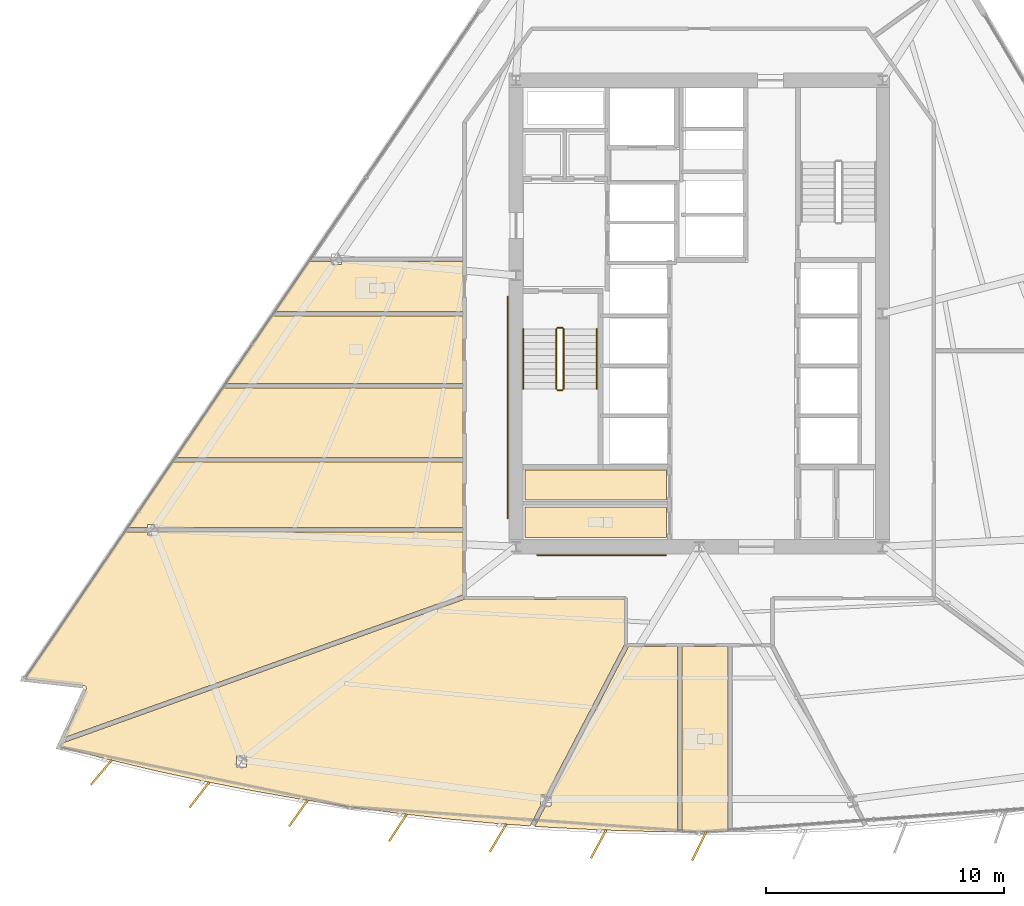
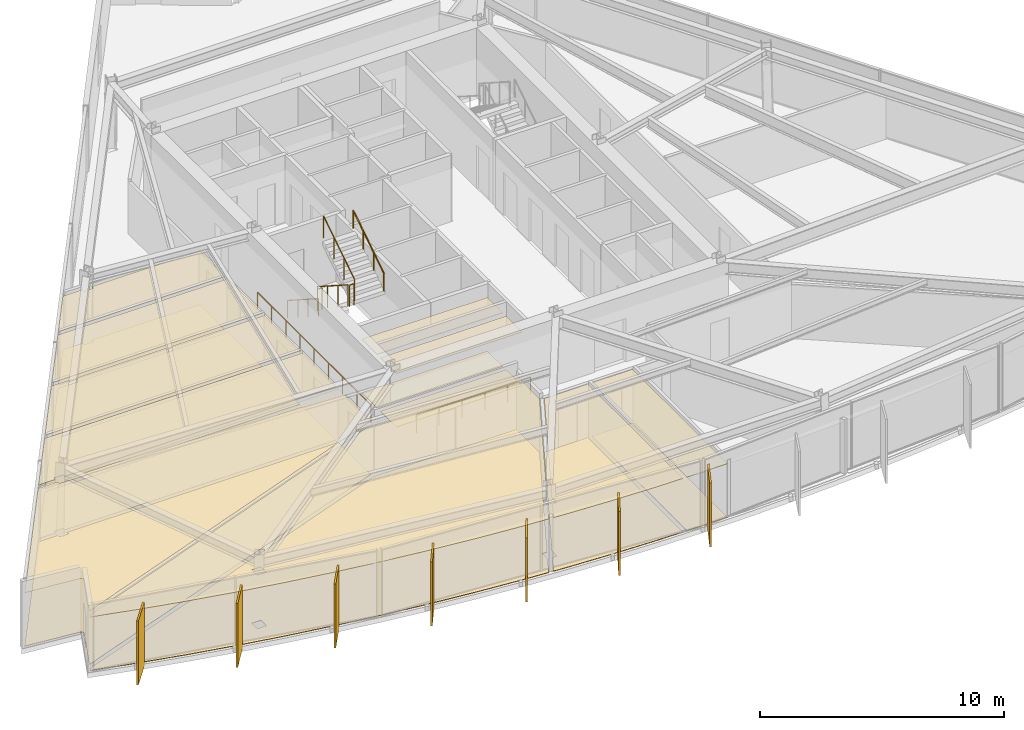
# One storey, part 11 of 15: 20 coverings, 8 railings, 7 shading devices.
"""IFC4 building model written with IfcOpenShell, lengths in metres."""

from ifc_helpers import new_model, si_unit, direction, frame, origin, origin_2d, place, context, subcontext, project, spatial, polyline, rectangle, circle, outline, extrude, material, layer, layer_set, type_object, element, save


model = new_model("IFC4")

# Units and contexts
model_context = context("Model", 3, precision=1e-05, world=origin(), true_north=direction((0.0, 1.0)))
body_context = subcontext(model_context, "Body", "Model", "MODEL_VIEW")
ifc_project = project(units=[si_unit("LENGTHUNIT", "METRE"), si_unit("AREAUNIT", "SQUARE_METRE"), si_unit("VOLUMEUNIT", "CUBIC_METRE"), si_unit("PLANEANGLEUNIT", "RADIAN"), si_unit("MASSUNIT", "GRAM", prefix="KILO")], contexts=[model_context])

# Site, building, storey
site_placement = place(None, origin())
site = spatial("IfcSite", under=ifc_project, at=site_placement, CompositionType="ELEMENT")
building_placement = place(site_placement, origin())
building = spatial("IfcBuilding", under=site, at=building_placement, Name="Savorim Split Tower", CompositionType="ELEMENT")
storey_placement = place(building_placement, frame((0.0, 0.0, 82.5)))
storey = spatial("IfcBuildingStorey", under=building, at=storey_placement, Name="L21", CompositionType="ELEMENT", Elevation=82.5)

# Coverings
ifc_material_1 = material(Name="Mineral Fibre Acoustic Ceiling")
ifc_layer_1 = layer(ifc_material_1, 0.02490234375)
ifc_layer_set_1 = layer_set([ifc_layer_1], Name="COV-CEIL-25")
covering_type_1 = type_object("IfcCoveringType", Name="COV-CEIL-25", PredefinedType="CEILING", material=ifc_layer_set_1)
covering_1_placement = place(storey_placement, frame((0.0, 0.0, 2.669921875)))
element("IfcCovering", 1, at=covering_1_placement, inside=storey, type_object=covering_type_1, Name="L21 Cleaning Store Acoustic Ceiling", PredefinedType="CEILING", context=body_context, shape_type="SweptSolid", body=[
    extrude(outline(polyline([(-7.320068359375, -6.179931640625), (-7.320068359375, -7.43994140625), (-1.3798828125, -7.43994140625), (-1.3798828125, -6.179931640625), (-7.320068359375, -6.179931640625)])), origin(), (0.0, 0.0, 1.0), 0.025146484375),
])
covering_2_placement = place(storey_placement, frame((0.0, 0.0, 2.669921875)))
element("IfcCovering", 2, at=covering_2_placement, inside=storey, type_object=covering_type_1, Name="L21 Public WC Acoustic Ceiling", PredefinedType="CEILING", context=body_context, shape_type="SweptSolid", body=[
    extrude(outline(polyline([(-7.320068359375, -7.719970703125), (-7.320068359375, -9.02001953125), (-1.3798828125, -9.02001953125), (-1.3798828125, -7.719970703125), (-7.320068359375, -7.719970703125)])), origin(), (0.0, 0.0, 1.0), 0.025146484375),
])
covering_3_placement = place(storey_placement, frame((0.0, 0.0, 2.669921875)))
element("IfcCovering", 3, at=covering_3_placement, inside=storey, type_object=covering_type_1, Name="L21 Shared Kitchen Acoustic Ceiling", PredefinedType="CEILING", context=body_context, shape_type="SweptSolid", body=[
    extrude(outline(polyline([(-17.95166015625, 0.29638671875), (-19.881103515625, -2.539794921875), (-9.919921875, -2.539794921875), (-9.919921875, 0.29638671875), (-17.95166015625, 0.29638671875)])), origin(), (0.0, 0.0, 1.0), 0.025146484375),
])
covering_4_placement = place(storey_placement, frame((0.0, 0.0, 2.669921875)))
element("IfcCovering", 4, at=covering_4_placement, inside=storey, type_object=covering_type_1, Name="L21 Co-Living Bedroom Acoustic Ceiling", PredefinedType="CEILING", context=body_context, shape_type="SweptSolid", body=[
    extrude(outline(polyline([(-20.01025390625, -2.729736328125), (-21.990966796875, -5.64111328125), (-9.919921875, -5.64111328125), (-9.919921875, -2.729736328125), (-20.01025390625, -2.729736328125)])), origin(), (0.0, 0.0, 1.0), 0.025146484375),
])
covering_5_placement = place(storey_placement, frame((0.0, 0.0, 2.669921875)))
element("IfcCovering", 5, at=covering_5_placement, inside=storey, type_object=covering_type_1, Name="L21 Quiet Study Room Acoustic Ceiling", PredefinedType="CEILING", context=body_context, shape_type="SweptSolid", body=[
    extrude(outline(polyline([(-22.760498046875, -8.464599609375), (-22.760498046875, -8.592041015625), (-9.919921875, -8.592041015625), (-9.919921875, -5.831298828125), (-22.1201171875, -5.831298828125), (-23.998291015625, -8.592041015625), (-23.189453125, -8.592041015625), (-23.189453125, -8.464599609375), (-22.760498046875, -8.464599609375)])), origin(), (0.0, 0.0, 1.0), 0.025146484375),
])
covering_6_placement = place(storey_placement, frame((0.0, 0.0, 2.669921875)))
element("IfcCovering", 6, at=covering_6_placement, inside=storey, type_object=covering_type_1, Name="L21 Maker Workshop Acoustic Ceiling", PredefinedType="CEILING", context=body_context, shape_type="SweptSolid", body=[
    extrude(outline(polyline([(-25.751708984375, -15.35107421875), (-25.752685546875, -15.36279296875), (-25.7548828125, -15.374755859375), (-25.758056640625, -15.385986328125), (-25.7626953125, -15.397216796875), (-26.69384765625, -17.424072265625), (-9.919921875, -11.42236328125), (-9.919921875, -8.781982421875), (-22.760498046875, -8.781982421875), (-22.760498046875, -8.909423828125), (-23.189453125, -8.909423828125), (-23.189453125, -8.781982421875), (-24.00244140625, -8.781982421875), (-24.097412109375, -8.781982421875), (-24.097412109375, -8.73779296875), (-28.3251953125, -14.952392578125), (-25.8583984375, -15.227783203125), (-25.846435546875, -15.229736328125), (-25.8349609375, -15.23291015625), (-25.82373046875, -15.237060546875), (-25.81298828125, -15.2421875), (-25.802978515625, -15.248779296875), (-25.79345703125, -15.256103515625), (-25.784912109375, -15.26416015625), (-25.777099609375, -15.273193359375), (-25.770263671875, -15.282958984375), (-25.764404296875, -15.293212890625), (-25.759521484375, -15.30419921875), (-25.755859375, -15.315673828125), (-25.75341796875, -15.3271484375), (-25.751953125, -15.339111328125), (-25.751708984375, -15.35107421875)])), origin(), (0.0, 0.0, 1.0), 0.025146484375),
])
covering_7_placement = place(storey_placement, frame((0.0, 0.0, 2.669921875)))
element("IfcCovering", 7, at=covering_7_placement, inside=storey, type_object=covering_type_1, Name="L21 Co-Working Commons Acoustic Ceiling", PredefinedType="CEILING", context=body_context, shape_type="SweptSolid", body=[
    extrude(outline(polyline([(-9.820556640625, -11.614013671875), (-9.83349609375, -11.609375), (-9.845947265625, -11.603515625), (-9.85205078125, -11.599853515625), (-26.8046875, -17.66552734375), (-26.867919921875, -17.80322265625), (-24.9716796875, -18.29931640625), (-22.927490234375, -18.789306640625), (-20.873779296875, -19.237548828125), (-18.8115234375, -19.6435546875), (-16.7412109375, -20.00732421875), (-14.6640625, -20.32861328125), (-12.58056640625, -20.607421875), (-10.49169921875, -20.843505859375), (-8.398681640625, -21.036865234375), (-7.107666015625, -21.12939453125), (-7.10888671875, -21.12890625), (-6.660400390625, -20.267822265625), (-6.660400390625, -19.839111328125), (-6.43701171875, -19.839111328125), (-3.150146484375, -13.529296875), (-3.13232421875, -13.4951171875), (-3.134033203125, -13.490478515625), (-3.13720703125, -13.477294921875), (-3.139404296875, -13.463623046875), (-3.139892578125, -13.449951171875), (-3.139892578125, -11.6201171875), (-9.780029296875, -11.6201171875), (-9.793701171875, -11.619384765625), (-9.807373046875, -11.6171875), (-9.820556640625, -11.614013671875)]), holes=[polyline([(-19.447021484375, -18.642578125), (-19.017822265625, -18.642578125), (-19.017822265625, -18.197509765625), (-19.447021484375, -18.197509765625), (-19.447021484375, -18.642578125)])]), origin(), (0.0, 0.0, 1.0), 0.025146484375),
])
covering_8_placement = place(storey_placement, frame((0.0, 0.0, 2.669921875)))
element("IfcCovering", 8, at=covering_8_placement, inside=storey, type_object=covering_type_1, Name="L21 Co-Living Bedroom Acoustic Ceiling", PredefinedType="CEILING", context=body_context, shape_type="SweptSolid", body=[
    extrude(outline(polyline([(-6.302001953125, -21.187255859375), (-4.202880859375, -21.294921875), (-2.101806640625, -21.359375), (-0.907470703125, -21.37158203125), (-0.907470703125, -13.590087890625), (-2.967529296875, -13.590087890625), (-6.231201171875, -19.85546875), (-6.231201171875, -20.2841796875), (-6.45458984375, -20.2841796875), (-6.896484375, -21.13232421875), (-6.902587890625, -21.144287109375), (-6.302001953125, -21.187255859375)])), origin(), (0.0, 0.0, 1.0), 0.025146484375),
])
covering_9_placement = place(storey_placement, frame((0.0, 0.0, 2.669921875)))
element("IfcCovering", 9, at=covering_9_placement, inside=storey, type_object=covering_type_1, Name="L21 Shared Bathroom Acoustic Ceiling", PredefinedType="CEILING", context=body_context, shape_type="SweptSolid", body=[
    extrude(outline(polyline([(-0.717529296875, -13.590087890625), (-0.717529296875, -21.37353515625), (0.0, -21.380859375), (1.204833984375, -21.368408203125), (1.204833984375, -13.590087890625), (-0.717529296875, -13.590087890625)])), origin(), (0.0, 0.0, 1.0), 0.025146484375),
])
covering_10_placement = place(storey_placement, frame((0.0, 0.0, 2.669921875)))
element("IfcCovering", 10, at=covering_10_placement, inside=storey, type_object=covering_type_1, Name="L21 Shared Bathroom Acoustic Ceiling", PredefinedType="CEILING", context=body_context, shape_type="SweptSolid", body=[
    extrude(outline(polyline([(-15.452392578125, 2.59130859375), (-16.265380859375, 2.59130859375), (-16.3603515625, 2.59130859375), (-16.3603515625, 2.635498046875), (-17.822509765625, 0.486328125), (-9.919921875, 0.486328125), (-9.919921875, 2.59130859375), (-15.0234375, 2.59130859375), (-15.0234375, 2.4638671875), (-15.452392578125, 2.4638671875), (-15.452392578125, 2.59130859375)])), origin(), (0.0, 0.0, 1.0), 0.025146484375),
])
ifc_material_2 = material(Name="Porcelain Stoneware Flooring", Category="masonry")
ifc_layer_2 = layer(ifc_material_2, 0.02001953125)
ifc_layer_set_2 = layer_set([ifc_layer_2], Name="COV-FLOR-20")
covering_type_2 = type_object("IfcCoveringType", Name="COV-FLOR-20", PredefinedType="FLOORING", material=ifc_layer_set_2)
covering_11_placement = place(storey_placement, origin())
element("IfcCovering", 11, at=covering_11_placement, inside=storey, type_object=covering_type_2, Name="L21 Cleaning Store Porcelain Flooring", PredefinedType="FLOORING", context=body_context, shape_type="SweptSolid", body=[
    extrude(outline(polyline([(-7.320068359375, -6.179931640625), (-7.320068359375, -7.43994140625), (-1.3798828125, -7.43994140625), (-1.3798828125, -6.179931640625), (-7.320068359375, -6.179931640625)])), origin(), (0.0, 0.0, 1.0), 0.02001953125),
])
covering_12_placement = place(storey_placement, origin())
element("IfcCovering", 12, at=covering_12_placement, inside=storey, type_object=covering_type_2, Name="L21 Public WC Porcelain Flooring", PredefinedType="FLOORING", context=body_context, shape_type="SweptSolid", body=[
    extrude(outline(polyline([(-7.320068359375, -7.719970703125), (-7.320068359375, -9.02001953125), (-1.3798828125, -9.02001953125), (-1.3798828125, -7.719970703125), (-7.320068359375, -7.719970703125)])), origin(), (0.0, 0.0, 1.0), 0.02001953125),
])
covering_13_placement = place(storey_placement, origin())
element("IfcCovering", 13, at=covering_13_placement, inside=storey, type_object=covering_type_2, Name="L21 Shared Kitchen Porcelain Flooring", PredefinedType="FLOORING", context=body_context, shape_type="SweptSolid", body=[
    extrude(outline(polyline([(-17.95166015625, 0.29638671875), (-19.881103515625, -2.539794921875), (-9.919921875, -2.539794921875), (-9.919921875, 0.29638671875), (-17.95166015625, 0.29638671875)])), origin(), (0.0, 0.0, 1.0), 0.02001953125),
])
covering_14_placement = place(storey_placement, origin())
element("IfcCovering", 14, at=covering_14_placement, inside=storey, type_object=covering_type_2, Name="L21 Co-Living Bedroom Porcelain Flooring", PredefinedType="FLOORING", context=body_context, shape_type="SweptSolid", body=[
    extrude(outline(polyline([(-20.01025390625, -2.729736328125), (-21.990966796875, -5.64111328125), (-9.919921875, -5.64111328125), (-9.919921875, -2.729736328125), (-20.01025390625, -2.729736328125)])), origin(), (0.0, 0.0, 1.0), 0.02001953125),
])
covering_15_placement = place(storey_placement, origin())
element("IfcCovering", 15, at=covering_15_placement, inside=storey, type_object=covering_type_2, Name="L21 Quiet Study Room Porcelain Flooring", PredefinedType="FLOORING", context=body_context, shape_type="SweptSolid", body=[
    extrude(outline(polyline([(-22.760498046875, -8.464599609375), (-22.760498046875, -8.592041015625), (-9.919921875, -8.592041015625), (-9.919921875, -5.831298828125), (-22.1201171875, -5.831298828125), (-23.998291015625, -8.592041015625), (-23.189453125, -8.592041015625), (-23.189453125, -8.464599609375), (-22.760498046875, -8.464599609375)])), origin(), (0.0, 0.0, 1.0), 0.02001953125),
])
covering_16_placement = place(storey_placement, origin())
element("IfcCovering", 16, at=covering_16_placement, inside=storey, type_object=covering_type_2, Name="L21 Maker Workshop Porcelain Flooring", PredefinedType="FLOORING", context=body_context, shape_type="SweptSolid", body=[
    extrude(outline(polyline([(-25.751708984375, -15.35107421875), (-25.752685546875, -15.36279296875), (-25.7548828125, -15.374755859375), (-25.758056640625, -15.385986328125), (-25.7626953125, -15.397216796875), (-26.69384765625, -17.424072265625), (-9.919921875, -11.42236328125), (-9.919921875, -8.781982421875), (-22.760498046875, -8.781982421875), (-22.760498046875, -8.909423828125), (-23.189453125, -8.909423828125), (-23.189453125, -8.781982421875), (-24.00244140625, -8.781982421875), (-24.097412109375, -8.781982421875), (-24.097412109375, -8.73779296875), (-28.3251953125, -14.952392578125), (-25.8583984375, -15.227783203125), (-25.846435546875, -15.229736328125), (-25.8349609375, -15.23291015625), (-25.82373046875, -15.237060546875), (-25.81298828125, -15.2421875), (-25.802978515625, -15.248779296875), (-25.79345703125, -15.256103515625), (-25.784912109375, -15.26416015625), (-25.777099609375, -15.273193359375), (-25.770263671875, -15.282958984375), (-25.764404296875, -15.293212890625), (-25.759521484375, -15.30419921875), (-25.755859375, -15.315673828125), (-25.75341796875, -15.3271484375), (-25.751953125, -15.339111328125), (-25.751708984375, -15.35107421875)])), origin(), (0.0, 0.0, 1.0), 0.02001953125),
])
covering_17_placement = place(storey_placement, origin())
element("IfcCovering", 17, at=covering_17_placement, inside=storey, type_object=covering_type_2, Name="L21 Co-Working Commons Porcelain Flooring", PredefinedType="FLOORING", context=body_context, shape_type="SweptSolid", body=[
    extrude(outline(polyline([(-9.820556640625, -11.614013671875), (-9.83349609375, -11.609375), (-9.845947265625, -11.603515625), (-9.85205078125, -11.599853515625), (-26.8046875, -17.66552734375), (-26.867919921875, -17.80322265625), (-24.9716796875, -18.29931640625), (-22.927490234375, -18.789306640625), (-20.873779296875, -19.237548828125), (-18.8115234375, -19.6435546875), (-16.7412109375, -20.00732421875), (-14.6640625, -20.32861328125), (-12.58056640625, -20.607421875), (-10.49169921875, -20.843505859375), (-8.398681640625, -21.036865234375), (-7.107666015625, -21.12939453125), (-7.10888671875, -21.12890625), (-6.660400390625, -20.267822265625), (-6.660400390625, -19.839111328125), (-6.43701171875, -19.839111328125), (-3.150146484375, -13.529296875), (-3.13232421875, -13.4951171875), (-3.134033203125, -13.490478515625), (-3.13720703125, -13.477294921875), (-3.139404296875, -13.463623046875), (-3.139892578125, -13.449951171875), (-3.139892578125, -11.6201171875), (-9.780029296875, -11.6201171875), (-9.793701171875, -11.619384765625), (-9.807373046875, -11.6171875), (-9.820556640625, -11.614013671875)]), holes=[polyline([(-19.447021484375, -18.642578125), (-19.017822265625, -18.642578125), (-19.017822265625, -18.197509765625), (-19.447021484375, -18.197509765625), (-19.447021484375, -18.642578125)])]), origin(), (0.0, 0.0, 1.0), 0.02001953125),
])
covering_18_placement = place(storey_placement, origin())
element("IfcCovering", 18, at=covering_18_placement, inside=storey, type_object=covering_type_2, Name="L21 Co-Living Bedroom Porcelain Flooring", PredefinedType="FLOORING", context=body_context, shape_type="SweptSolid", body=[
    extrude(outline(polyline([(-6.302001953125, -21.187255859375), (-4.202880859375, -21.294921875), (-2.101806640625, -21.359375), (-0.907470703125, -21.37158203125), (-0.907470703125, -13.590087890625), (-2.967529296875, -13.590087890625), (-6.231201171875, -19.85546875), (-6.231201171875, -20.2841796875), (-6.45458984375, -20.2841796875), (-6.896484375, -21.13232421875), (-6.902587890625, -21.144287109375), (-6.302001953125, -21.187255859375)])), origin(), (0.0, 0.0, 1.0), 0.02001953125),
])
covering_19_placement = place(storey_placement, origin())
element("IfcCovering", 19, at=covering_19_placement, inside=storey, type_object=covering_type_2, Name="L21 Shared Bathroom Porcelain Flooring", PredefinedType="FLOORING", context=body_context, shape_type="SweptSolid", body=[
    extrude(outline(polyline([(-0.717529296875, -13.590087890625), (-0.717529296875, -21.37353515625), (0.0, -21.380859375), (1.204833984375, -21.368408203125), (1.204833984375, -13.590087890625), (-0.717529296875, -13.590087890625)])), origin(), (0.0, 0.0, 1.0), 0.02001953125),
])
covering_20_placement = place(storey_placement, origin())
element("IfcCovering", 20, at=covering_20_placement, inside=storey, type_object=covering_type_2, Name="L21 Shared Bathroom Porcelain Flooring", PredefinedType="FLOORING", context=body_context, shape_type="SweptSolid", body=[
    extrude(outline(polyline([(-15.452392578125, 2.59130859375), (-16.265380859375, 2.59130859375), (-16.3603515625, 2.59130859375), (-16.3603515625, 2.635498046875), (-17.822509765625, 0.486328125), (-9.919921875, 0.486328125), (-9.919921875, 2.59130859375), (-15.0234375, 2.59130859375), (-15.0234375, 2.4638671875), (-15.452392578125, 2.4638671875), (-15.452392578125, 2.59130859375)])), origin(), (0.0, 0.0, 1.0), 0.02001953125),
])

# Railings
ifc_material_3 = material(Name="Galvanised Painted Steel Balustrade", Category="steel")
railing_type_1 = type_object("IfcRailingType", Name="RLG-HR-900", PredefinedType="HANDRAIL", material=ifc_material_3)
railing_1_placement = place(storey_placement, frame((-7.39990234375, -0.25, 0.179931640625)))
element("IfcRailing", 21, at=railing_1_placement, inside=storey, type_object=railing_type_1, Name="L21 ST-1 stair handrail 1", PredefinedType="HANDRAIL", context=body_context, shape_type="SweptSolid", body=[
    extrude(circle(Radius=0.02392578125, at=origin_2d()), frame((0.0, 0.0, 0.8759765625), z_axis=(0.0, -0.841162588446, 0.540782303519), x_axis=(1.0, 0.0, 0.0)), (0.0, 0.0, 1.0), 2.995849609375),
    extrude(circle(Radius=0.02099609375, at=origin_2d()), origin(), (0.0, 0.0, 1.0), 0.851806640625),
    extrude(circle(Radius=0.02099609375, at=origin_2d()), frame((0.0, -0.840087890625, 0.5400390625)), (0.0, 0.0, 1.0), 0.851806640625),
    extrude(circle(Radius=0.02099609375, at=origin_2d()), frame((0.0, -1.679931640625, 1.080078125)), (0.0, 0.0, 1.0), 0.851806640625),
    extrude(circle(Radius=0.02099609375, at=origin_2d()), frame((0.0, -2.52001953125, 1.6201171875)), (0.0, 0.0, 1.0), 0.851806640625),
])
railing_2_placement = place(storey_placement, frame((-4.300048828125, -2.77001953125, 1.97998046875)))
element("IfcRailing", 22, at=railing_2_placement, inside=storey, type_object=railing_type_1, Name="L21 ST-1 stair handrail 2", PredefinedType="HANDRAIL", context=body_context, shape_type="SweptSolid", body=[
    extrude(circle(Radius=0.02392578125, at=origin_2d()), frame((0.0, 0.0, 0.8759765625), z_axis=(0.0, 0.841162588446, 0.540782303519), x_axis=(-1.0, 0.0, 0.0)), (0.0, 0.0, 1.0), 2.995849609375),
    extrude(circle(Radius=0.02099609375, at=origin_2d()), origin(), (0.0, 0.0, 1.0), 0.851806640625),
    extrude(circle(Radius=0.02099609375, at=origin_2d()), frame((0.0, 0.840087890625, 0.5400390625)), (0.0, 0.0, 1.0), 0.851806640625),
    extrude(circle(Radius=0.02099609375, at=origin_2d()), frame((0.0, 1.679931640625, 1.080078125)), (0.0, 0.0, 1.0), 0.851806640625),
    extrude(circle(Radius=0.02099609375, at=origin_2d()), frame((0.0, 2.52001953125, 1.6201171875)), (0.0, 0.0, 1.0), 0.851806640625),
])
railing_3_placement = place(storey_placement, frame((-6.800048828125, -9.75, 0.0)))
element("IfcRailing", 23, at=railing_3_placement, inside=storey, type_object=railing_type_1, Name="L21 Corridor South Accessible Handrail", PredefinedType="HANDRAIL", context=body_context, shape_type="SweptSolid", body=[
    extrude(circle(Radius=0.02392578125, at=origin_2d()), frame((0.0, 0.0, 0.8759765625), z_axis=(1.0, 0.0, 0.0), x_axis=(0.0, 1.0, 0.0)), (0.0, 0.0, 1.0), 5.400146484375),
    extrude(circle(Radius=0.02099609375, at=origin_2d()), origin(), (0.0, 0.0, 1.0), 0.851806640625),
    extrude(circle(Radius=0.02099609375, at=origin_2d()), frame((1.080078125, 0.0, 0.0)), (0.0, 0.0, 1.0), 0.851806640625),
    extrude(circle(Radius=0.02099609375, at=origin_2d()), frame((2.16015625, 0.0, 0.0)), (0.0, 0.0, 1.0), 0.851806640625),
    extrude(circle(Radius=0.02099609375, at=origin_2d()), frame((3.239990234375, 0.0, 0.0)), (0.0, 0.0, 1.0), 0.851806640625),
    extrude(circle(Radius=0.02099609375, at=origin_2d()), frame((4.320068359375, 0.0, 0.0)), (0.0, 0.0, 1.0), 0.851806640625),
    extrude(circle(Radius=0.02099609375, at=origin_2d()), frame((5.400146484375, 0.0, 0.0)), (0.0, 0.0, 1.0), 0.851806640625),
])
railing_4_placement = place(storey_placement, frame((-8.050048828125, -8.199951171875, 0.0)))
element("IfcRailing", 24, at=railing_4_placement, inside=storey, type_object=railing_type_1, Name="L21 Corridor West Accessible Handrail", PredefinedType="HANDRAIL", context=body_context, shape_type="SweptSolid", body=[
    extrude(circle(Radius=0.02392578125, at=origin_2d()), frame((0.0, 0.0, 0.8759765625), z_axis=(0.0, 1.0, 0.0), x_axis=(-1.0, 0.0, 0.0)), (0.0, 0.0, 1.0), 9.300048828125),
    extrude(circle(Radius=0.02099609375, at=origin_2d()), origin(), (0.0, 0.0, 1.0), 0.851806640625),
    extrude(circle(Radius=0.02099609375, at=origin_2d()), frame((0.0, 1.16259765625, 0.0)), (0.0, 0.0, 1.0), 0.851806640625),
    extrude(circle(Radius=0.02099609375, at=origin_2d()), frame((0.0, 2.324951171875, 0.0)), (0.0, 0.0, 1.0), 0.851806640625),
    extrude(circle(Radius=0.02099609375, at=origin_2d()), frame((0.0, 3.487548828125, 0.0)), (0.0, 0.0, 1.0), 0.851806640625),
    extrude(circle(Radius=0.02099609375, at=origin_2d()), frame((0.0, 4.64990234375, 0.0)), (0.0, 0.0, 1.0), 0.851806640625),
    extrude(circle(Radius=0.02099609375, at=origin_2d()), frame((0.0, 5.8125, 0.0)), (0.0, 0.0, 1.0), 0.851806640625),
    extrude(circle(Radius=0.02099609375, at=origin_2d()), frame((0.0, 6.97509765625, 0.0)), (0.0, 0.0, 1.0), 0.851806640625),
    extrude(circle(Radius=0.02099609375, at=origin_2d()), frame((0.0, 8.137451171875, 0.0)), (0.0, 0.0, 1.0), 0.851806640625),
    extrude(circle(Radius=0.02099609375, at=origin_2d()), frame((0.0, 9.300048828125, 0.0)), (0.0, 0.0, 1.0), 0.851806640625),
])
railing_type_2 = type_object("IfcRailingType", Name="RLG-STG-1100", PredefinedType="BALUSTRADE", material=ifc_material_3)
railing_5_placement = place(storey_placement, frame((-6.0, -0.25, 0.179931640625)))
element("IfcRailing", 25, at=railing_5_placement, inside=storey, type_object=railing_type_2, Name="L21 ST-1 stair guard 1", PredefinedType="BALUSTRADE", context=body_context, shape_type="SweptSolid", body=[
    extrude(circle(Radius=0.02392578125, at=origin_2d()), frame((0.0, 0.0, 1.076171875), z_axis=(0.0, -0.841162588446, 0.540782303519), x_axis=(1.0, 0.0, 0.0)), (0.0, 0.0, 1.0), 2.995849609375),
    extrude(circle(Radius=0.02099609375, at=origin_2d()), origin(), (0.0, 0.0, 1.0), 1.052001953125),
    extrude(circle(Radius=0.02099609375, at=origin_2d()), frame((0.0, -0.840087890625, 0.5400390625)), (0.0, 0.0, 1.0), 1.052001953125),
    extrude(circle(Radius=0.02099609375, at=origin_2d()), frame((0.0, -1.679931640625, 1.080078125)), (0.0, 0.0, 1.0), 1.052001953125),
    extrude(circle(Radius=0.02099609375, at=origin_2d()), frame((0.0, -2.52001953125, 1.6201171875)), (0.0, 0.0, 1.0), 1.052001953125),
])
railing_6_placement = place(storey_placement, frame((-5.949951171875, -2.820068359375, 1.800048828125)))
element("IfcRailing", 26, at=railing_6_placement, inside=storey, type_object=railing_type_2, Name="L21 ST-1 stair guard 2", PredefinedType="BALUSTRADE", context=body_context, shape_type="SweptSolid", body=[
    extrude(circle(Radius=0.02392578125, at=origin_2d()), frame((0.0, 0.0, 1.076171875), z_axis=(1.0, 0.0, 0.0), x_axis=(0.0, 1.0, 0.0)), (0.0, 0.0, 1.0), 0.199951171875),
    extrude(circle(Radius=0.02099609375, at=origin_2d()), origin(), (0.0, 0.0, 1.0), 1.052001953125),
    extrude(circle(Radius=0.02099609375, at=origin_2d()), frame((0.199951171875, 0.0, 0.0)), (0.0, 0.0, 1.0), 1.052001953125),
])
railing_7_placement = place(storey_placement, frame((-5.699951171875, -2.77001953125, 1.97998046875)))
element("IfcRailing", 27, at=railing_7_placement, inside=storey, type_object=railing_type_2, Name="L21 ST-1 stair guard 3", PredefinedType="BALUSTRADE", context=body_context, shape_type="SweptSolid", body=[
    extrude(circle(Radius=0.02392578125, at=origin_2d()), frame((0.0, 0.0, 1.076171875), z_axis=(0.0, 0.841162588446, 0.540782303519), x_axis=(-1.0, 0.0, 0.0)), (0.0, 0.0, 1.0), 2.995849609375),
    extrude(circle(Radius=0.02099609375, at=origin_2d()), origin(), (0.0, 0.0, 1.0), 1.052001953125),
    extrude(circle(Radius=0.02099609375, at=origin_2d()), frame((0.0, 0.840087890625, 0.5400390625)), (0.0, 0.0, 1.0), 1.052001953125),
    extrude(circle(Radius=0.02099609375, at=origin_2d()), frame((0.0, 1.679931640625, 1.080078125)), (0.0, 0.0, 1.0), 1.052001953125),
    extrude(circle(Radius=0.02099609375, at=origin_2d()), frame((0.0, 2.52001953125, 1.6201171875)), (0.0, 0.0, 1.0), 1.052001953125),
])
railing_8_placement = place(storey_placement, frame((-5.949951171875, -0.199951171875, 0.0)))
element("IfcRailing", 28, at=railing_8_placement, inside=storey, type_object=railing_type_2, Name="L21 ST-1 stair guard 4", PredefinedType="BALUSTRADE", context=body_context, shape_type="SweptSolid", body=[
    extrude(circle(Radius=0.02392578125, at=origin_2d()), frame((0.0, 0.0, 1.076171875), z_axis=(1.0, 0.0, 0.0), x_axis=(0.0, 1.0, 0.0)), (0.0, 0.0, 1.0), 0.199951171875),
    extrude(circle(Radius=0.02099609375, at=origin_2d()), origin(), (0.0, 0.0, 1.0), 1.052001953125),
    extrude(circle(Radius=0.02099609375, at=origin_2d()), frame((0.199951171875, 0.0, 0.0)), (0.0, 0.0, 1.0), 1.052001953125),
])

# Shading devices
ifc_material_4 = material(Name="Terracotta Ceramic-Coated Aluminium Fin", Category="masonry")
shading_device_type = type_object("IfcShadingDeviceType", Name="SHD-FIN-1360", PredefinedType="USERDEFINED", material=ifc_material_4)
for number, where, z_axis, x_axis, name in (
    (29, (-25.116455078125, -18.87744140625, -0.2001953125), (0.0, 0.0, 1.0), (-0.643719022682, -0.765261928909, 0.0), "L21 Sawtooth Shading Fin 01"),
    (30, (-20.9951171875, -19.821044921875, -0.2001953125), (0.0, 0.0, 1.0), (-0.611868076908, -0.790959832394, 0.0), "L21 Sawtooth Shading Fin 02"),
    (31, (-16.83837890625, -20.595458984375, -0.2001953125), (0.0, 0.0, 1.0), (-0.578993757737, -0.815331974414, 0.0), "L21 Sawtooth Shading Fin 03"),
    (32, (-12.653564453125, -21.198974609375, -0.2001953125), (0.0, 0.0, 1.0), (-0.545148321708, -0.838339613366, 0.0), "L21 Sawtooth Shading Fin 04"),
    (33, (-8.447509765625, -21.630859375, -0.2001953125), (0.0, 0.0, 1.0), (-0.510391336723, -0.859942255851, 0.0), "L21 Sawtooth Shading Fin 05"),
    (34, (-4.227294921875, -21.890380859375, -0.2001953125), (0.0, 0.0, 1.0), (-0.474778051978, -0.880105562623, 0.0), "L21 Sawtooth Shading Fin 06"),
    (35, (0.0, -21.976806640625, -0.2001953125), (0.0, 0.0, 1.0), (-0.438371146789, -0.898794046299, 0.0), "L21 Sawtooth Shading Fin 07"),
):
    element("IfcShadingDevice", number, at=place(storey_placement, frame(where, z_axis=z_axis, x_axis=x_axis)), inside=storey, type_object=shading_device_type, Name=name, ObjectType="FIN", PredefinedType="USERDEFINED", context=body_context, shape_type="SweptSolid", body=[
        extrude(rectangle(XDim=1.360107421875, YDim=0.080078125, at=origin_2d()), origin(), (0.0, 0.0, 1.0), 3.199951171875),
    ])

save(model, "model.ifc")
